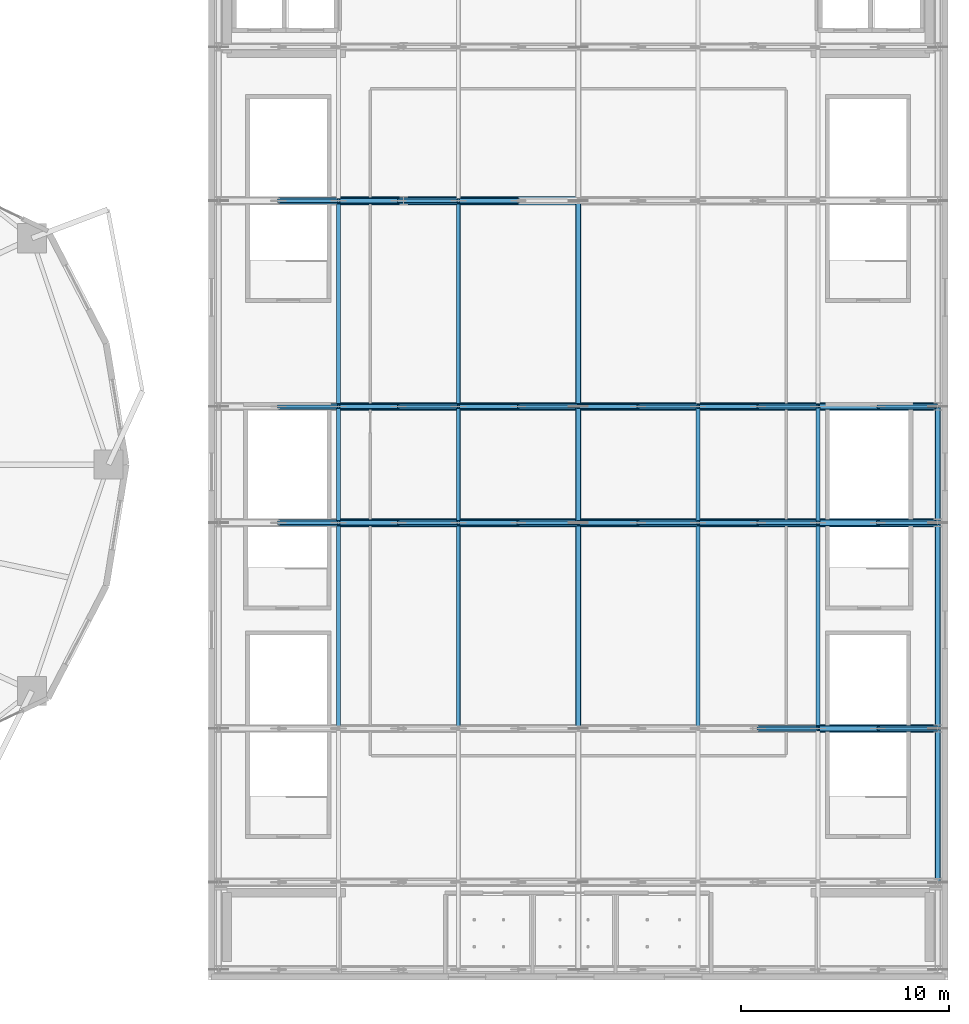
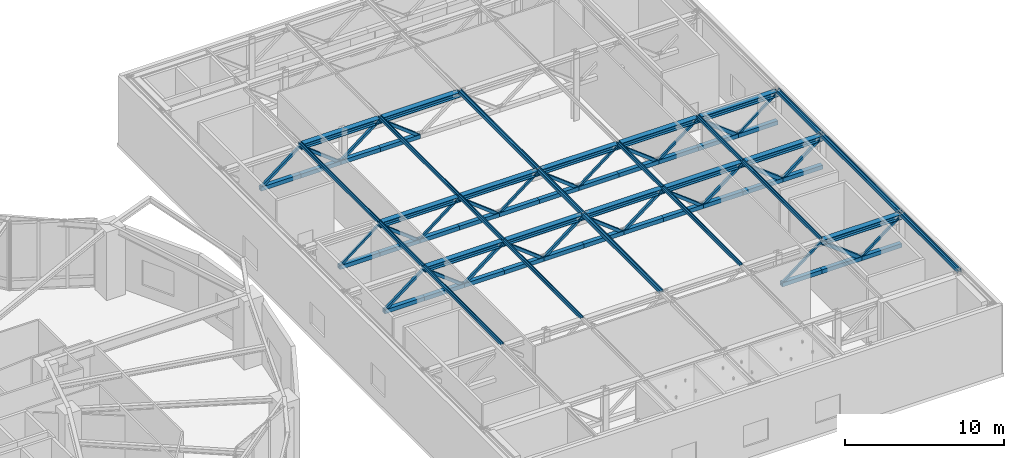
# One storey, part 12 of 29: 87 members.
"""IFC4 building model written with IfcOpenShell, lengths in metres."""

import ifcopenshell
import ifcopenshell.guid

model = None  # the IFC model being written
_history = None  # IfcOwnerHistory: only IFC2X3 demands one
_inside = {}  # id of a spatial element -> (the spatial element, [elements in it])
_under = {}  # id of a project, library or spatial element -> (it, [spatial elements below it])
_declared = {}  # id of a project -> (the project, [libraries it declares])
_typed = {}  # id of a type object -> (the type object, [elements of that type])
_made_of = {}  # id of a material, layer set ... -> (it, [elements and type objects made of it])


def new_model(schema):
    """Start an empty IFC model of exactly this schema.

    Asked for "IFC4X3", IfcOpenShell would pick the latest addendum, in which some entities
    have other attributes; the version numbers below select the first issue.
    IFC2X3 requires an IfcOwnerHistory on every rooted entity: one is made here for all.
    """
    global model, _history
    if schema == "IFC4X3":
        model = ifcopenshell.file(schema_version=(4, 3, 0, 0))
    else:
        model = ifcopenshell.file(schema=schema)
    _inside.clear()
    _under.clear()
    _declared.clear()
    _typed.clear()
    _made_of.clear()
    _history = None
    if model.schema == "IFC2X3":
        org = make("IfcOrganization", Name="unknown")
        user = make(
            "IfcPersonAndOrganization",
            ThePerson=make("IfcPerson", FamilyName="unknown"),
            TheOrganization=org,
        )
        app = make(
            "IfcApplication",
            ApplicationDeveloper=org,
            Version="unknown",
            ApplicationFullName="unknown",
            ApplicationIdentifier="unknown",
        )
        _history = make(
            "IfcOwnerHistory",
            OwningUser=user,
            OwningApplication=app,
            ChangeAction="ADDED",
            CreationDate=0,
        )
    return model


def make(cls, **values):
    """One entity of the class cls with the attributes given. An attribute that is None is left unset."""
    return model.create_entity(
        cls, **{name: value for name, value in values.items() if value is not None}
    )


def rooted(cls, **values):
    """An entity with a GlobalId (a new one), such as an element, a storey or a relation."""
    return make(cls, GlobalId=ifcopenshell.guid.new(), OwnerHistory=_history, **values)


def si_unit(unit_type, name, prefix=None):
    """IfcSIUnit, for example si_unit("LENGTHUNIT", "METRE", prefix="MILLI")."""
    return make("IfcSIUnit", UnitType=unit_type, Prefix=prefix, Name=name)


def assignment(units):
    """IfcUnitAssignment: the units of a project."""
    return None if units is None else make("IfcUnitAssignment", Units=units)


def point(xyz):
    """IfcCartesianPoint."""
    return None if xyz is None else make("IfcCartesianPoint", Coordinates=xyz)


def direction(xyz):
    """IfcDirection."""
    return None if xyz is None else make("IfcDirection", DirectionRatios=xyz)


def frame(location, z_axis=None, x_axis=None):
    """IfcAxis2Placement3D, a coordinate frame: its origin and axes. An axis left out is left unset."""
    return make(
        "IfcAxis2Placement3D",
        Location=point(location),
        Axis=direction(z_axis),
        RefDirection=direction(x_axis),
    )


def frame_2d(location, x_axis=None):
    """IfcAxis2Placement2D, a coordinate frame in the plane: its origin and x axis."""
    return make(
        "IfcAxis2Placement2D", Location=point(location), RefDirection=direction(x_axis)
    )


def origin():
    """The frame at (0, 0, 0) with its axes left unset."""
    return frame((0.0, 0.0, 0.0))


def origin_2d():
    """The frame at (0, 0) in the plane with its x axis left unset."""
    return frame_2d((0.0, 0.0))


def place(relative_to, where):
    """IfcLocalPlacement: puts the frame where relative to a parent placement (None: the world)."""
    return make(
        "IfcLocalPlacement", PlacementRelTo=relative_to, RelativePlacement=where
    )


def context(
    kind, dimensions, precision=None, world=None, true_north=None, identifier=None
):
    """IfcGeometricRepresentationContext, for example the 3D "Model" context."""
    return make(
        "IfcGeometricRepresentationContext",
        ContextIdentifier=identifier,
        ContextType=kind,
        CoordinateSpaceDimension=dimensions,
        Precision=precision,
        WorldCoordinateSystem=world,
        TrueNorth=true_north,
    )


def subcontext(parent, identifier, kind, view, scale=None):
    """IfcGeometricRepresentationSubContext, for example "Body" below "Model"."""
    return make(
        "IfcGeometricRepresentationSubContext",
        ContextIdentifier=identifier,
        ContextType=kind,
        ParentContext=parent,
        TargetScale=scale,
        TargetView=view,
    )


def project(units=None, contexts=None):
    """IfcProject with its units and contexts."""
    return rooted(
        "IfcProject",
        Name="project",
        RepresentationContexts=contexts,
        UnitsInContext=assignment(units),
    )


def spatial(cls, under=None, at=None, **own):
    """A site, building, storey or space (cls), placed at a placement, below another one or the project."""
    s = rooted(cls, ObjectPlacement=at, **own)
    if under is not None:
        _under.setdefault(under.id(), (under, []))[1].append(s)
    return s


def profile(cls, at=None, kind="AREA", **sizes):
    """A parametric profile (cls). Its sizes go by their IFC names, for example OverallWidth=200.0."""
    return make(cls, ProfileType=kind, Position=at, **sizes)


def hollow_rectangle(**sizes):
    """IfcRectangleHollowProfileDef."""
    return profile("IfcRectangleHollowProfileDef", **sizes)


def i_section(**sizes):
    """IfcIShapeProfileDef."""
    return profile("IfcIShapeProfileDef", **sizes)


def extrude(swept, where, along, depth):
    """IfcExtrudedAreaSolid: the profile swept, set in the frame where, extruded along a direction by depth."""
    return make(
        "IfcExtrudedAreaSolid",
        SweptArea=swept,
        Position=where,
        ExtrudedDirection=direction(along),
        Depth=depth,
    )


def shape(context_of_items, identifier, shape_type, items):
    """IfcShapeRepresentation: the items that make up one representation, for example the "Body"."""
    return make(
        "IfcShapeRepresentation",
        ContextOfItems=context_of_items,
        RepresentationIdentifier=identifier,
        RepresentationType=shape_type,
        Items=items,
    )


def material(Name=None, Category=None):
    """IfcMaterial."""
    return make("IfcMaterial", Name=Name, Category=Category)


def material_profile(
    of_material, cross_section, Name=None, Category=None, Priority=None
):
    """IfcMaterialProfile: a cross section and its material."""
    return make(
        "IfcMaterialProfile",
        Name=Name,
        Material=of_material,
        Profile=cross_section,
        Priority=Priority,
        Category=Category,
    )


def profile_set(profiles, Name=None, composite=None):
    """IfcMaterialProfileSet."""
    return make(
        "IfcMaterialProfileSet",
        Name=Name,
        MaterialProfiles=profiles,
        CompositeProfile=composite,
    )


def made_of(thing, what):
    """Note that an element or type object is made of a material, layer set ...; save() writes the relation."""
    if what is not None:
        _made_of.setdefault(what.id(), (what, []))[1].append(thing)
    return thing


def type_object(cls, material=None, **own):
    """A type object (cls), such as IfcWallType, which elements share."""
    return made_of(rooted(cls, **own), material)


def element(
    cls,
    number,
    at=None,
    inside=None,
    cuts=None,
    type_object=None,
    material=None,
    context=None,
    identifier="Body",
    shape_type=None,
    held_by="IfcProductDefinitionShape",
    body=None,
    shapes=None,
    **own,
):
    """One element of the class cls, such as IfcWall. Its Tag is "e" and its number.

    at: its placement. inside: the storey or other place that contains it. cuts: it is an
    opening in that element (IfcRelVoidsElement). A single representation is given by context,
    identifier, shape_type and body (its items); several are given by shapes. held_by: the class
    of the entity that holds the representations. save() writes the other relations.
    """
    e = rooted(cls, Tag="e%d" % number, ObjectPlacement=at, **own)
    if body is not None:
        shapes = [shape(context, identifier, shape_type, body)]
    if shapes is not None:
        e.Representation = make(held_by, Representations=shapes)
    if inside is not None:
        _inside.setdefault(inside.id(), (inside, []))[1].append(e)
    if cuts is not None:
        rooted(
            "IfcRelVoidsElement", RelatingBuildingElement=cuts, RelatedOpeningElement=e
        )
    if type_object is not None:
        _typed.setdefault(type_object.id(), (type_object, []))[1].append(e)
    return made_of(e, material)


def aggregate(whole, parts):
    """IfcRelAggregates: a whole, such as a stair, and the parts it consists of."""
    return rooted("IfcRelAggregates", RelatingObject=whole, RelatedObjects=parts)


def save(model, path):
    """Write the relations noted so far, then the file.

    IfcRelAggregates (storeys below a building ...), IfcRelContainedInSpatialStructure (elements
    in a storey), IfcRelDefinesByType, IfcRelAssociatesMaterial and IfcRelDeclares: one each for
    every whole, place, type object, material and project.
    """
    for whole, parts in _under.values():
        aggregate(whole, parts)
    for where, things in _inside.values():
        rooted(
            "IfcRelContainedInSpatialStructure",
            RelatedElements=things,
            RelatingStructure=where,
        )
    for kind, things in _typed.values():
        rooted("IfcRelDefinesByType", RelatedObjects=things, RelatingType=kind)
    for what, things in _made_of.values():
        rooted("IfcRelAssociatesMaterial", RelatedObjects=things, RelatingMaterial=what)
    for by, libraries in _declared.values():
        rooted("IfcRelDeclares", RelatingContext=by, RelatedDefinitions=libraries)
    model.write(path)


model = new_model("IFC4")

# Units and contexts
model_context = context("Model", 3, precision=1e-05, world=origin(), true_north=direction((0.0, 1.0)))
body_context = subcontext(model_context, "Body", "Model", "MODEL_VIEW")
ifc_project = project(units=[si_unit("LENGTHUNIT", "METRE"), si_unit("AREAUNIT", "SQUARE_METRE"), si_unit("VOLUMEUNIT", "CUBIC_METRE"), si_unit("PLANEANGLEUNIT", "RADIAN"), si_unit("MASSUNIT", "GRAM", prefix="KILO")], contexts=[model_context])

# Site, building, storey
site_placement = place(None, origin())
site = spatial("IfcSite", under=ifc_project, at=site_placement, CompositionType="ELEMENT")
building_placement = place(site_placement, origin())
building = spatial("IfcBuilding", under=site, at=building_placement, Name="Kolvaren Gate Tower and Convention Centre", CompositionType="ELEMENT")
storey_placement = place(building_placement, frame((0.0, 0.0, 21.0)))
storey = spatial("IfcBuildingStorey", under=building, at=storey_placement, Name="L04", CompositionType="ELEMENT", Elevation=21.0)

# Members
ifc_material_1 = material(Name="Structural steel ASTM A500 Grade C 345 MPa", Category="steel")
ifc_material_profile_1 = material_profile(ifc_material_1, hollow_rectangle(XDim=0.202880859375, YDim=0.202880859375, WallThickness=0.0126953125, at=origin_2d()), Name="HSS203X203X12.7")
ifc_profile_set_1 = profile_set([ifc_material_profile_1], Name="Structural steel ASTM A500 Grade C 345 MPa")
member_type_1 = type_object("IfcMemberType", Name="STR-BR-HSS203X203", PredefinedType="BRACE", material=ifc_profile_set_1)
for number, where, z_axis, x_axis, name in (
    (1, (68.466796875, 24.199951171875, 4.919921875), (0.79235205207, 0.0, -0.610064115959), (0.0, 1.0, 0.0), "Convention Roof Truss TR-04 Web Diagonal 2A"),
    (2, (74.2333984375, 24.199951171875, 4.919921875), (0.79235205207, 0.0, -0.610064115959), (0.0, 1.0, 0.0), "Convention Roof Truss TR-04 Web Diagonal 3A"),
    (3, (80.0, 24.199951171875, 4.919921875), (0.79235205207, 0.0, -0.610064115959), (0.0, 1.0, 0.0), "Convention Roof Truss TR-04 Web Diagonal 4A"),
    (4, (85.7666015625, 24.199951171875, 4.919921875), (0.79235205207, 0.0, -0.610064115959), (0.0, 1.0, 0.0), "Convention Roof Truss TR-04 Web Diagonal 5A"),
    (5, (68.466796875, 29.800048828125, 4.919921875), (0.79235205207, 0.0, -0.610064115959), (0.0, 1.0, 0.0), "Convention Roof Truss TR-05 Web Diagonal 2A"),
    (6, (74.2333984375, 29.800048828125, 4.919921875), (0.79235205207, 0.0, -0.610064115959), (0.0, 1.0, 0.0), "Convention Roof Truss TR-05 Web Diagonal 3A"),
    (7, (80.0, 29.800048828125, 4.919921875), (0.79235205207, 0.0, -0.610064115959), (0.0, 1.0, 0.0), "Convention Roof Truss TR-05 Web Diagonal 4A"),
    (8, (85.7666015625, 29.800048828125, 4.919921875), (0.79235205207, 0.0, -0.610064115959), (0.0, 1.0, 0.0), "Convention Roof Truss TR-05 Web Diagonal 5A"),
    (9, (68.466796875, 39.699951171875, 4.919921875), (0.79235205207, 0.0, -0.610064115959), (0.0, 1.0, 0.0), "Convention Roof Truss TR-06 Web Diagonal 2A"),
    (10, (74.2333984375, 39.699951171875, 4.919921875), (0.79235205207, 0.0, -0.610064115959), (0.0, 1.0, 0.0), "Convention Roof Truss TR-06 Web Diagonal 3A"),
):
    element("IfcMember", number, at=place(storey_placement, frame(where, z_axis=z_axis, x_axis=x_axis)), inside=storey, type_object=member_type_1, Name=name, PredefinedType="BRACE", context=body_context, shape_type="SweptSolid", body=[
        extrude(hollow_rectangle(XDim=0.202880859375, YDim=0.202880859375, WallThickness=0.0126953125, at=origin_2d()), origin(), (0.0, 0.0, 1.0), 3.638916015625),
    ])
ifc_material_profile_2 = material_profile(ifc_material_1, hollow_rectangle(XDim=0.25390625, YDim=0.25390625, WallThickness=0.015869140625, at=origin_2d()), Name="HSS254X254X15.9")
ifc_profile_set_2 = profile_set([ifc_material_profile_2], Name="Structural steel ASTM A500 Grade C 345 MPa")
member_type_2 = type_object("IfcMemberType", Name="STR-BR-HSS254X254", PredefinedType="BRACE", material=ifc_profile_set_2)
for number, where, z_axis, x_axis, name in (
    (11, (91.533203125, 14.300048828125, 4.919921875), (0.79237702012, 0.0, -0.610031686051), (0.0, 1.0, 0.0), "Convention Roof Truss TR-03 Web Diagonal 6A"),
    (12, (91.533203125, 24.199951171875, 4.919921875), (0.79237702012, 0.0, -0.610031686051), (0.0, 1.0, 0.0), "Convention Roof Truss TR-04 Web Diagonal 6A"),
    (13, (91.533203125, 29.800048828125, 4.919921875), (0.79237702012, 0.0, -0.610031686051), (0.0, 1.0, 0.0), "Convention Roof Truss TR-05 Web Diagonal 6A"),
):
    element("IfcMember", number, at=place(storey_placement, frame(where, z_axis=z_axis, x_axis=x_axis)), inside=storey, type_object=member_type_2, Name=name, PredefinedType="BRACE", context=body_context, shape_type="SweptSolid", body=[
        extrude(hollow_rectangle(XDim=0.25390625, YDim=0.25390625, WallThickness=0.015869140625, at=origin_2d()), origin(), (0.0, 0.0, 1.0), 3.63916015625),
    ])
ifc_material_profile_3 = material_profile(ifc_material_1, hollow_rectangle(XDim=0.304931640625, YDim=0.304931640625, WallThickness=0.015869140625, at=origin_2d()), Name="HSS305X305X15.9")
ifc_profile_set_3 = profile_set([ifc_material_profile_3], Name="Structural steel ASTM A500 Grade C 345 MPa")
member_type_3 = type_object("IfcMemberType", Name="STR-CH-HSS305X305", PredefinedType="CHORD", material=ifc_profile_set_3)
member_1_placement = place(storey_placement, frame((88.64990234375, 14.300048828125, 2.699951171875), z_axis=(1.0, 0.0, 0.0), x_axis=(0.0, 1.0, 0.0)))
element("IfcMember", 14, at=member_1_placement, inside=storey, type_object=member_type_3, Name="Convention Roof Truss TR-03 Bottom Chord 5B", PredefinedType="CHORD", context=body_context, shape_type="SweptSolid", body=[
    extrude(hollow_rectangle(XDim=0.304931640625, YDim=0.304931640625, WallThickness=0.015869140625, at=origin_2d()), origin(), (0.0, 0.0, 1.0), 2.88330078125),
])
member_2_placement = place(storey_placement, frame((91.533203125, 14.300048828125, 2.699951171875), z_axis=(1.0, 0.0, 0.0), x_axis=(0.0, 1.0, 0.0)))
element("IfcMember", 15, at=member_2_placement, inside=storey, type_object=member_type_3, Name="Convention Roof Truss TR-03 Bottom Chord 6A", PredefinedType="CHORD", context=body_context, shape_type="SweptSolid", body=[
    extrude(hollow_rectangle(XDim=0.304931640625, YDim=0.304931640625, WallThickness=0.015869140625, at=origin_2d()), origin(), (0.0, 0.0, 1.0), 2.883544921875),
])
member_3_placement = place(storey_placement, frame((94.416748046875, 14.300048828125, 2.699951171875), z_axis=(1.0, 0.0, 0.0), x_axis=(0.0, 1.0, 0.0)))
element("IfcMember", 16, at=member_3_placement, inside=storey, type_object=member_type_3, Name="Convention Roof Truss TR-03 Bottom Chord 6B", PredefinedType="CHORD", context=body_context, shape_type="SweptSolid", body=[
    extrude(hollow_rectangle(XDim=0.304931640625, YDim=0.304931640625, WallThickness=0.015869140625, at=origin_2d()), origin(), (0.0, 0.0, 1.0), 2.88330078125),
])
member_4_placement = place(storey_placement, frame((65.583251953125, 24.199951171875, 2.699951171875), z_axis=(1.0, 0.0, 0.0), x_axis=(0.0, 1.0, 0.0)))
element("IfcMember", 17, at=member_4_placement, inside=storey, type_object=member_type_3, Name="Convention Roof Truss TR-04 Bottom Chord 1B", PredefinedType="CHORD", context=body_context, shape_type="SweptSolid", body=[
    extrude(hollow_rectangle(XDim=0.304931640625, YDim=0.304931640625, WallThickness=0.015869140625, at=origin_2d()), origin(), (0.0, 0.0, 1.0), 2.883544921875),
])
for number, where, z_axis, x_axis, name in (
    (18, (68.466796875, 24.199951171875, 2.699951171875), (1.0, 0.0, 0.0), (0.0, 1.0, 0.0), "Convention Roof Truss TR-04 Bottom Chord 2A"),
    (19, (71.35009765625, 24.199951171875, 2.699951171875), (1.0, 0.0, 0.0), (0.0, 1.0, 0.0), "Convention Roof Truss TR-04 Bottom Chord 2B"),
    (20, (74.2333984375, 24.199951171875, 2.699951171875), (1.0, 0.0, 0.0), (0.0, 1.0, 0.0), "Convention Roof Truss TR-04 Bottom Chord 3A"),
    (21, (77.11669921875, 24.199951171875, 2.699951171875), (1.0, 0.0, 0.0), (0.0, 1.0, 0.0), "Convention Roof Truss TR-04 Bottom Chord 3B"),
    (22, (80.0, 24.199951171875, 2.699951171875), (1.0, 0.0, 0.0), (0.0, 1.0, 0.0), "Convention Roof Truss TR-04 Bottom Chord 4A"),
    (23, (82.88330078125, 24.199951171875, 2.699951171875), (1.0, 0.0, 0.0), (0.0, 1.0, 0.0), "Convention Roof Truss TR-04 Bottom Chord 4B"),
    (24, (85.7666015625, 24.199951171875, 2.699951171875), (1.0, 0.0, 0.0), (0.0, 1.0, 0.0), "Convention Roof Truss TR-04 Bottom Chord 5A"),
    (25, (88.64990234375, 24.199951171875, 2.699951171875), (1.0, 0.0, 0.0), (0.0, 1.0, 0.0), "Convention Roof Truss TR-04 Bottom Chord 5B"),
):
    element("IfcMember", number, at=place(storey_placement, frame(where, z_axis=z_axis, x_axis=x_axis)), inside=storey, type_object=member_type_3, Name=name, PredefinedType="CHORD", context=body_context, shape_type="SweptSolid", body=[
        extrude(hollow_rectangle(XDim=0.304931640625, YDim=0.304931640625, WallThickness=0.015869140625, at=origin_2d()), origin(), (0.0, 0.0, 1.0), 2.88330078125),
    ])
member_5_placement = place(storey_placement, frame((91.533203125, 24.199951171875, 2.699951171875), z_axis=(1.0, 0.0, 0.0), x_axis=(0.0, 1.0, 0.0)))
element("IfcMember", 26, at=member_5_placement, inside=storey, type_object=member_type_3, Name="Convention Roof Truss TR-04 Bottom Chord 6A", PredefinedType="CHORD", context=body_context, shape_type="SweptSolid", body=[
    extrude(hollow_rectangle(XDim=0.304931640625, YDim=0.304931640625, WallThickness=0.015869140625, at=origin_2d()), origin(), (0.0, 0.0, 1.0), 2.883544921875),
])
member_6_placement = place(storey_placement, frame((94.416748046875, 24.199951171875, 2.699951171875), z_axis=(1.0, 0.0, 0.0), x_axis=(0.0, 1.0, 0.0)))
element("IfcMember", 27, at=member_6_placement, inside=storey, type_object=member_type_3, Name="Convention Roof Truss TR-04 Bottom Chord 6B", PredefinedType="CHORD", context=body_context, shape_type="SweptSolid", body=[
    extrude(hollow_rectangle(XDim=0.304931640625, YDim=0.304931640625, WallThickness=0.015869140625, at=origin_2d()), origin(), (0.0, 0.0, 1.0), 2.88330078125),
])
member_7_placement = place(storey_placement, frame((65.583251953125, 29.800048828125, 2.699951171875), z_axis=(1.0, 0.0, 0.0), x_axis=(0.0, 1.0, 0.0)))
element("IfcMember", 28, at=member_7_placement, inside=storey, type_object=member_type_3, Name="Convention Roof Truss TR-05 Bottom Chord 1B", PredefinedType="CHORD", context=body_context, shape_type="SweptSolid", body=[
    extrude(hollow_rectangle(XDim=0.304931640625, YDim=0.304931640625, WallThickness=0.015869140625, at=origin_2d()), origin(), (0.0, 0.0, 1.0), 2.883544921875),
])
for number, where, z_axis, x_axis, name in (
    (29, (68.466796875, 29.800048828125, 2.699951171875), (1.0, 0.0, 0.0), (0.0, 1.0, 0.0), "Convention Roof Truss TR-05 Bottom Chord 2A"),
    (30, (71.35009765625, 29.800048828125, 2.699951171875), (1.0, 0.0, 0.0), (0.0, 1.0, 0.0), "Convention Roof Truss TR-05 Bottom Chord 2B"),
    (31, (74.2333984375, 29.800048828125, 2.699951171875), (1.0, 0.0, 0.0), (0.0, 1.0, 0.0), "Convention Roof Truss TR-05 Bottom Chord 3A"),
    (32, (77.11669921875, 29.800048828125, 2.699951171875), (1.0, 0.0, 0.0), (0.0, 1.0, 0.0), "Convention Roof Truss TR-05 Bottom Chord 3B"),
    (33, (80.0, 29.800048828125, 2.699951171875), (1.0, 0.0, 0.0), (0.0, 1.0, 0.0), "Convention Roof Truss TR-05 Bottom Chord 4A"),
    (34, (82.88330078125, 29.800048828125, 2.699951171875), (1.0, 0.0, 0.0), (0.0, 1.0, 0.0), "Convention Roof Truss TR-05 Bottom Chord 4B"),
    (35, (85.7666015625, 29.800048828125, 2.699951171875), (1.0, 0.0, 0.0), (0.0, 1.0, 0.0), "Convention Roof Truss TR-05 Bottom Chord 5A"),
    (36, (88.64990234375, 29.800048828125, 2.699951171875), (1.0, 0.0, 0.0), (0.0, 1.0, 0.0), "Convention Roof Truss TR-05 Bottom Chord 5B"),
):
    element("IfcMember", number, at=place(storey_placement, frame(where, z_axis=z_axis, x_axis=x_axis)), inside=storey, type_object=member_type_3, Name=name, PredefinedType="CHORD", context=body_context, shape_type="SweptSolid", body=[
        extrude(hollow_rectangle(XDim=0.304931640625, YDim=0.304931640625, WallThickness=0.015869140625, at=origin_2d()), origin(), (0.0, 0.0, 1.0), 2.88330078125),
    ])
member_8_placement = place(storey_placement, frame((91.533203125, 29.800048828125, 2.699951171875), z_axis=(1.0, 0.0, 0.0), x_axis=(0.0, 1.0, 0.0)))
element("IfcMember", 37, at=member_8_placement, inside=storey, type_object=member_type_3, Name="Convention Roof Truss TR-05 Bottom Chord 6A", PredefinedType="CHORD", context=body_context, shape_type="SweptSolid", body=[
    extrude(hollow_rectangle(XDim=0.304931640625, YDim=0.304931640625, WallThickness=0.015869140625, at=origin_2d()), origin(), (0.0, 0.0, 1.0), 2.883544921875),
])
member_9_placement = place(storey_placement, frame((94.416748046875, 29.800048828125, 2.699951171875), z_axis=(1.0, 0.0, 0.0), x_axis=(0.0, 1.0, 0.0)))
element("IfcMember", 38, at=member_9_placement, inside=storey, type_object=member_type_3, Name="Convention Roof Truss TR-05 Bottom Chord 6B", PredefinedType="CHORD", context=body_context, shape_type="SweptSolid", body=[
    extrude(hollow_rectangle(XDim=0.304931640625, YDim=0.304931640625, WallThickness=0.015869140625, at=origin_2d()), origin(), (0.0, 0.0, 1.0), 2.88330078125),
])
member_10_placement = place(storey_placement, frame((65.583251953125, 39.699951171875, 2.699951171875), z_axis=(1.0, 0.0, 0.0), x_axis=(0.0, 1.0, 0.0)))
element("IfcMember", 39, at=member_10_placement, inside=storey, type_object=member_type_3, Name="Convention Roof Truss TR-06 Bottom Chord 1B", PredefinedType="CHORD", context=body_context, shape_type="SweptSolid", body=[
    extrude(hollow_rectangle(XDim=0.304931640625, YDim=0.304931640625, WallThickness=0.015869140625, at=origin_2d()), origin(), (0.0, 0.0, 1.0), 2.883544921875),
])
for number, where, z_axis, x_axis, name in (
    (40, (68.466796875, 39.699951171875, 2.699951171875), (1.0, 0.0, 0.0), (0.0, 1.0, 0.0), "Convention Roof Truss TR-06 Bottom Chord 2A"),
    (41, (71.35009765625, 39.699951171875, 2.699951171875), (1.0, 0.0, 0.0), (0.0, 1.0, 0.0), "Convention Roof Truss TR-06 Bottom Chord 2B"),
    (42, (74.2333984375, 39.699951171875, 2.699951171875), (1.0, 0.0, 0.0), (0.0, 1.0, 0.0), "Convention Roof Truss TR-06 Bottom Chord 3A"),
):
    element("IfcMember", number, at=place(storey_placement, frame(where, z_axis=z_axis, x_axis=x_axis)), inside=storey, type_object=member_type_3, Name=name, PredefinedType="CHORD", context=body_context, shape_type="SweptSolid", body=[
        extrude(hollow_rectangle(XDim=0.304931640625, YDim=0.304931640625, WallThickness=0.015869140625, at=origin_2d()), origin(), (0.0, 0.0, 1.0), 2.88330078125),
    ])
ifc_material_2 = material(Name="Structural steel ASTM A992 Grade 345 MPa", Category="steel")
ifc_material_profile_4 = material_profile(ifc_material_2, i_section(OverallWidth=0.39501953125, OverallDepth=0.3798828125, WebThickness=0.018798828125, FlangeThickness=0.0302734375, at=origin_2d()), Name="W360X237")
ifc_profile_set_4 = profile_set([ifc_material_profile_4], Name="Structural steel ASTM A992 Grade 345 MPa")
member_type_4 = type_object("IfcMemberType", Name="STR-CH-W360X237", PredefinedType="CHORD", material=ifc_profile_set_4)
member_11_placement = place(storey_placement, frame((91.533203125, 14.300048828125, 4.919921875), z_axis=(1.0, 0.0, 0.0), x_axis=(0.0, 1.0, 0.0)))
element("IfcMember", 43, at=member_11_placement, inside=storey, type_object=member_type_4, Name="Convention Roof Truss TR-03 Top Chord 6", PredefinedType="CHORD", context=body_context, shape_type="SweptSolid", body=[
    extrude(i_section(OverallWidth=0.39501953125, OverallDepth=0.3798828125, WebThickness=0.018798828125, FlangeThickness=0.0302734375, at=origin_2d()), origin(), (0.0, 0.0, 1.0), 5.766845703125),
])
for number, where, z_axis, x_axis, name in (
    (44, (68.466796875, 24.199951171875, 4.919921875), (1.0, 0.0, 0.0), (0.0, 1.0, 0.0), "Convention Roof Truss TR-04 Top Chord 2"),
    (45, (74.2333984375, 24.199951171875, 4.919921875), (1.0, 0.0, 0.0), (0.0, 1.0, 0.0), "Convention Roof Truss TR-04 Top Chord 3"),
    (46, (80.0, 24.199951171875, 4.919921875), (1.0, 0.0, 0.0), (0.0, 1.0, 0.0), "Convention Roof Truss TR-04 Top Chord 4"),
    (47, (85.7666015625, 24.199951171875, 4.919921875), (1.0, 0.0, 0.0), (0.0, 1.0, 0.0), "Convention Roof Truss TR-04 Top Chord 5"),
):
    element("IfcMember", number, at=place(storey_placement, frame(where, z_axis=z_axis, x_axis=x_axis)), inside=storey, type_object=member_type_4, Name=name, PredefinedType="CHORD", context=body_context, shape_type="SweptSolid", body=[
        extrude(i_section(OverallWidth=0.39501953125, OverallDepth=0.3798828125, WebThickness=0.018798828125, FlangeThickness=0.0302734375, at=origin_2d()), origin(), (0.0, 0.0, 1.0), 5.7666015625),
    ])
member_12_placement = place(storey_placement, frame((91.533203125, 24.199951171875, 4.919921875), z_axis=(1.0, 0.0, 0.0), x_axis=(0.0, 1.0, 0.0)))
element("IfcMember", 48, at=member_12_placement, inside=storey, type_object=member_type_4, Name="Convention Roof Truss TR-04 Top Chord 6", PredefinedType="CHORD", context=body_context, shape_type="SweptSolid", body=[
    extrude(i_section(OverallWidth=0.39501953125, OverallDepth=0.3798828125, WebThickness=0.018798828125, FlangeThickness=0.0302734375, at=origin_2d()), origin(), (0.0, 0.0, 1.0), 5.766845703125),
])
for number, where, z_axis, x_axis, name in (
    (49, (68.466796875, 29.800048828125, 4.919921875), (1.0, 0.0, 0.0), (0.0, 1.0, 0.0), "Convention Roof Truss TR-05 Top Chord 2"),
    (50, (74.2333984375, 29.800048828125, 4.919921875), (1.0, 0.0, 0.0), (0.0, 1.0, 0.0), "Convention Roof Truss TR-05 Top Chord 3"),
    (51, (80.0, 29.800048828125, 4.919921875), (1.0, 0.0, 0.0), (0.0, 1.0, 0.0), "Convention Roof Truss TR-05 Top Chord 4"),
    (52, (85.7666015625, 29.800048828125, 4.919921875), (1.0, 0.0, 0.0), (0.0, 1.0, 0.0), "Convention Roof Truss TR-05 Top Chord 5"),
):
    element("IfcMember", number, at=place(storey_placement, frame(where, z_axis=z_axis, x_axis=x_axis)), inside=storey, type_object=member_type_4, Name=name, PredefinedType="CHORD", context=body_context, shape_type="SweptSolid", body=[
        extrude(i_section(OverallWidth=0.39501953125, OverallDepth=0.3798828125, WebThickness=0.018798828125, FlangeThickness=0.0302734375, at=origin_2d()), origin(), (0.0, 0.0, 1.0), 5.7666015625),
    ])
member_13_placement = place(storey_placement, frame((91.533203125, 29.800048828125, 4.919921875), z_axis=(1.0, 0.0, 0.0), x_axis=(0.0, 1.0, 0.0)))
element("IfcMember", 53, at=member_13_placement, inside=storey, type_object=member_type_4, Name="Convention Roof Truss TR-05 Top Chord 6", PredefinedType="CHORD", context=body_context, shape_type="SweptSolid", body=[
    extrude(i_section(OverallWidth=0.39501953125, OverallDepth=0.3798828125, WebThickness=0.018798828125, FlangeThickness=0.0302734375, at=origin_2d()), origin(), (0.0, 0.0, 1.0), 5.766845703125),
])
for number, where, z_axis, x_axis, name in (
    (54, (68.466796875, 39.699951171875, 4.919921875), (1.0, 0.0, 0.0), (0.0, 1.0, 0.0), "Convention Roof Truss TR-06 Top Chord 2"),
    (55, (74.2333984375, 39.699951171875, 4.919921875), (1.0, 0.0, 0.0), (0.0, 1.0, 0.0), "Convention Roof Truss TR-06 Top Chord 3"),
):
    element("IfcMember", number, at=place(storey_placement, frame(where, z_axis=z_axis, x_axis=x_axis)), inside=storey, type_object=member_type_4, Name=name, PredefinedType="CHORD", context=body_context, shape_type="SweptSolid", body=[
        extrude(i_section(OverallWidth=0.39501953125, OverallDepth=0.3798828125, WebThickness=0.018798828125, FlangeThickness=0.0302734375, at=origin_2d()), origin(), (0.0, 0.0, 1.0), 5.7666015625),
    ])
ifc_material_profile_5 = material_profile(ifc_material_2, i_section(OverallWidth=0.202880859375, OverallDepth=0.202880859375, WebThickness=0.007080078125, FlangeThickness=0.010986328125, at=origin_2d()), Name="W200X46")
ifc_profile_set_5 = profile_set([ifc_material_profile_5], Name="Structural steel ASTM A992 Grade 345 MPa")
member_type_5 = type_object("IfcMemberType", Name="STR-PR-W200X46", PredefinedType="PURLIN", material=ifc_profile_set_5)
member_14_placement = place(storey_placement, frame((68.466796875, 14.300048828125, 5.1484375), z_axis=(0.0, 1.0, 0.0), x_axis=(0.0, 0.0, 1.0)))
element("IfcMember", 56, at=member_14_placement, inside=storey, type_object=member_type_5, Name="Convention Roof Purlin PR-2.3", PredefinedType="PURLIN", context=body_context, shape_type="SweptSolid", body=[
    extrude(i_section(OverallWidth=0.202880859375, OverallDepth=0.202880859375, WebThickness=0.007080078125, FlangeThickness=0.010986328125, at=origin_2d()), origin(), (0.0, 0.0, 1.0), 9.89990234375),
])
member_15_placement = place(storey_placement, frame((68.466796875, 24.199951171875, 5.1484375), z_axis=(0.0, 1.0, 0.0), x_axis=(0.0, 0.0, 1.0)))
element("IfcMember", 57, at=member_15_placement, inside=storey, type_object=member_type_5, Name="Convention Roof Purlin PR-2.4", PredefinedType="PURLIN", context=body_context, shape_type="SweptSolid", body=[
    extrude(i_section(OverallWidth=0.202880859375, OverallDepth=0.202880859375, WebThickness=0.007080078125, FlangeThickness=0.010986328125, at=origin_2d()), origin(), (0.0, 0.0, 1.0), 5.60009765625),
])
for number, where, z_axis, x_axis, name in (
    (58, (68.466796875, 29.800048828125, 5.1484375), (0.0, 1.0, 0.0), (0.0, 0.0, 1.0), "Convention Roof Purlin PR-2.5"),
    (59, (74.2333984375, 14.300048828125, 5.1484375), (0.0, 1.0, 0.0), (0.0, 0.0, 1.0), "Convention Roof Purlin PR-3.3"),
):
    element("IfcMember", number, at=place(storey_placement, frame(where, z_axis=z_axis, x_axis=x_axis)), inside=storey, type_object=member_type_5, Name=name, PredefinedType="PURLIN", context=body_context, shape_type="SweptSolid", body=[
        extrude(i_section(OverallWidth=0.202880859375, OverallDepth=0.202880859375, WebThickness=0.007080078125, FlangeThickness=0.010986328125, at=origin_2d()), origin(), (0.0, 0.0, 1.0), 9.89990234375),
    ])
member_16_placement = place(storey_placement, frame((74.2333984375, 24.199951171875, 5.1484375), z_axis=(0.0, 1.0, 0.0), x_axis=(0.0, 0.0, 1.0)))
element("IfcMember", 60, at=member_16_placement, inside=storey, type_object=member_type_5, Name="Convention Roof Purlin PR-3.4", PredefinedType="PURLIN", context=body_context, shape_type="SweptSolid", body=[
    extrude(i_section(OverallWidth=0.202880859375, OverallDepth=0.202880859375, WebThickness=0.007080078125, FlangeThickness=0.010986328125, at=origin_2d()), origin(), (0.0, 0.0, 1.0), 5.60009765625),
])
for number, where, z_axis, x_axis, name in (
    (61, (74.2333984375, 29.800048828125, 5.1484375), (0.0, 1.0, 0.0), (0.0, 0.0, 1.0), "Convention Roof Purlin PR-3.5"),
    (62, (85.7666015625, 14.300048828125, 5.1484375), (0.0, 1.0, 0.0), (0.0, 0.0, 1.0), "Convention Roof Purlin PR-5.3"),
):
    element("IfcMember", number, at=place(storey_placement, frame(where, z_axis=z_axis, x_axis=x_axis)), inside=storey, type_object=member_type_5, Name=name, PredefinedType="PURLIN", context=body_context, shape_type="SweptSolid", body=[
        extrude(i_section(OverallWidth=0.202880859375, OverallDepth=0.202880859375, WebThickness=0.007080078125, FlangeThickness=0.010986328125, at=origin_2d()), origin(), (0.0, 0.0, 1.0), 9.89990234375),
    ])
member_17_placement = place(storey_placement, frame((85.7666015625, 24.199951171875, 5.1484375), z_axis=(0.0, 1.0, 0.0), x_axis=(0.0, 0.0, 1.0)))
element("IfcMember", 63, at=member_17_placement, inside=storey, type_object=member_type_5, Name="Convention Roof Purlin PR-5.4", PredefinedType="PURLIN", context=body_context, shape_type="SweptSolid", body=[
    extrude(i_section(OverallWidth=0.202880859375, OverallDepth=0.202880859375, WebThickness=0.007080078125, FlangeThickness=0.010986328125, at=origin_2d()), origin(), (0.0, 0.0, 1.0), 5.60009765625),
])
member_18_placement = place(storey_placement, frame((91.533203125, 14.300048828125, 5.1484375), z_axis=(0.0, 1.0, 0.0), x_axis=(0.0, 0.0, 1.0)))
element("IfcMember", 64, at=member_18_placement, inside=storey, type_object=member_type_5, Name="Convention Roof Purlin PR-6.3", PredefinedType="PURLIN", context=body_context, shape_type="SweptSolid", body=[
    extrude(i_section(OverallWidth=0.202880859375, OverallDepth=0.202880859375, WebThickness=0.007080078125, FlangeThickness=0.010986328125, at=origin_2d()), origin(), (0.0, 0.0, 1.0), 9.89990234375),
])
member_19_placement = place(storey_placement, frame((91.533203125, 24.199951171875, 5.1484375), z_axis=(0.0, 1.0, 0.0), x_axis=(0.0, 0.0, 1.0)))
element("IfcMember", 65, at=member_19_placement, inside=storey, type_object=member_type_5, Name="Convention Roof Purlin PR-6.4", PredefinedType="PURLIN", context=body_context, shape_type="SweptSolid", body=[
    extrude(i_section(OverallWidth=0.202880859375, OverallDepth=0.202880859375, WebThickness=0.007080078125, FlangeThickness=0.010986328125, at=origin_2d()), origin(), (0.0, 0.0, 1.0), 5.60009765625),
])
ifc_material_profile_6 = material_profile(ifc_material_2, i_section(OverallWidth=0.256103515625, OverallDepth=0.260009765625, WebThickness=0.0107421875, FlangeThickness=0.017333984375, at=origin_2d()), Name="W250X89")
ifc_profile_set_6 = profile_set([ifc_material_profile_6], Name="Structural steel ASTM A992 Grade 345 MPa")
member_type_6 = type_object("IfcMemberType", Name="STR-PR-W250X89", PredefinedType="PURLIN", material=ifc_profile_set_6)
member_20_placement = place(storey_placement, frame((80.0, 14.300048828125, 5.1201171875), z_axis=(0.0, 1.0, 0.0), x_axis=(0.0, 0.0, 1.0)))
element("IfcMember", 66, at=member_20_placement, inside=storey, type_object=member_type_6, Name="Convention Roof Purlin PR-4.3", PredefinedType="PURLIN", context=body_context, shape_type="SweptSolid", body=[
    extrude(i_section(OverallWidth=0.256103515625, OverallDepth=0.260009765625, WebThickness=0.0107421875, FlangeThickness=0.017333984375, at=origin_2d()), origin(), (0.0, 0.0, 1.0), 9.89990234375),
])
member_21_placement = place(storey_placement, frame((80.0, 24.199951171875, 5.1201171875), z_axis=(0.0, 1.0, 0.0), x_axis=(0.0, 0.0, 1.0)))
element("IfcMember", 67, at=member_21_placement, inside=storey, type_object=member_type_6, Name="Convention Roof Purlin PR-4.4", PredefinedType="PURLIN", context=body_context, shape_type="SweptSolid", body=[
    extrude(i_section(OverallWidth=0.256103515625, OverallDepth=0.260009765625, WebThickness=0.0107421875, FlangeThickness=0.017333984375, at=origin_2d()), origin(), (0.0, 0.0, 1.0), 5.60009765625),
])
member_22_placement = place(storey_placement, frame((80.0, 29.800048828125, 5.1201171875), z_axis=(0.0, 1.0, 0.0), x_axis=(0.0, 0.0, 1.0)))
element("IfcMember", 68, at=member_22_placement, inside=storey, type_object=member_type_6, Name="Convention Roof Purlin PR-4.5", PredefinedType="PURLIN", context=body_context, shape_type="SweptSolid", body=[
    extrude(i_section(OverallWidth=0.256103515625, OverallDepth=0.260009765625, WebThickness=0.0107421875, FlangeThickness=0.017333984375, at=origin_2d()), origin(), (0.0, 0.0, 1.0), 9.89990234375),
])
member_23_placement = place(storey_placement, frame((97.300048828125, 6.89990234375, 5.1201171875), z_axis=(0.0, 1.0, 0.0), x_axis=(0.0, 0.0, 1.0)))
element("IfcMember", 69, at=member_23_placement, inside=storey, type_object=member_type_6, Name="Convention Roof Purlin PR-7.2", PredefinedType="PURLIN", context=body_context, shape_type="SweptSolid", body=[
    extrude(i_section(OverallWidth=0.256103515625, OverallDepth=0.260009765625, WebThickness=0.0107421875, FlangeThickness=0.017333984375, at=origin_2d()), origin(), (0.0, 0.0, 1.0), 7.400146484375),
])
member_24_placement = place(storey_placement, frame((97.300048828125, 14.300048828125, 5.1201171875), z_axis=(0.0, 1.0, 0.0), x_axis=(0.0, 0.0, 1.0)))
element("IfcMember", 70, at=member_24_placement, inside=storey, type_object=member_type_6, Name="Convention Roof Purlin PR-7.3", PredefinedType="PURLIN", context=body_context, shape_type="SweptSolid", body=[
    extrude(i_section(OverallWidth=0.256103515625, OverallDepth=0.260009765625, WebThickness=0.0107421875, FlangeThickness=0.017333984375, at=origin_2d()), origin(), (0.0, 0.0, 1.0), 9.89990234375),
])
member_25_placement = place(storey_placement, frame((97.300048828125, 24.199951171875, 5.1201171875), z_axis=(0.0, 1.0, 0.0), x_axis=(0.0, 0.0, 1.0)))
element("IfcMember", 71, at=member_25_placement, inside=storey, type_object=member_type_6, Name="Convention Roof Purlin PR-7.4", PredefinedType="PURLIN", context=body_context, shape_type="SweptSolid", body=[
    extrude(i_section(OverallWidth=0.256103515625, OverallDepth=0.260009765625, WebThickness=0.0107421875, FlangeThickness=0.017333984375, at=origin_2d()), origin(), (0.0, 0.0, 1.0), 5.60009765625),
])
ifc_material_profile_7 = material_profile(ifc_material_1, hollow_rectangle(XDim=0.152099609375, YDim=0.152099609375, WallThickness=0.009521484375, at=origin_2d()), Name="HSS152X152X9.5")
ifc_profile_set_7 = profile_set([ifc_material_profile_7], Name="Structural steel ASTM A500 Grade C 345 MPa")
member_type_7 = type_object("IfcMemberType", Name="STR-ST-HSS152X152", PredefinedType="STRUT", material=ifc_profile_set_7)
for number, where, z_axis, x_axis, name in (
    (72, (88.64990234375, 14.300048828125, 2.699951171875), (0.79235205207, 0.0, 0.610064115959), (0.0, 1.0, 0.0), "Convention Roof Truss TR-03 Web Strut 5B"),
    (73, (94.416748046875, 14.300048828125, 2.699951171875), (0.79235205207, 0.0, 0.610064115959), (0.0, 1.0, 0.0), "Convention Roof Truss TR-03 Web Strut 6B"),
):
    element("IfcMember", number, at=place(storey_placement, frame(where, z_axis=z_axis, x_axis=x_axis)), inside=storey, type_object=member_type_7, Name=name, PredefinedType="STRUT", context=body_context, shape_type="SweptSolid", body=[
        extrude(hollow_rectangle(XDim=0.152099609375, YDim=0.152099609375, WallThickness=0.009521484375, at=origin_2d()), origin(), (0.0, 0.0, 1.0), 3.638916015625),
    ])
member_26_placement = place(storey_placement, frame((65.583251953125, 29.800048828125, 2.699951171875), z_axis=(0.79237702012, 0.0, 0.610031686051), x_axis=(0.0, 1.0, 0.0)))
element("IfcMember", 74, at=member_26_placement, inside=storey, type_object=member_type_7, Name="Convention Roof Truss TR-05 Web Strut 1B", PredefinedType="STRUT", context=body_context, shape_type="SweptSolid", body=[
    extrude(hollow_rectangle(XDim=0.152099609375, YDim=0.152099609375, WallThickness=0.009521484375, at=origin_2d()), origin(), (0.0, 0.0, 1.0), 3.63916015625),
])
for number, where, z_axis, x_axis, name in (
    (75, (71.35009765625, 29.800048828125, 2.699951171875), (0.79235205207, 0.0, 0.610064115959), (0.0, 1.0, 0.0), "Convention Roof Truss TR-05 Web Strut 2B"),
    (76, (77.11669921875, 29.800048828125, 2.699951171875), (0.79235205207, 0.0, 0.610064115959), (0.0, 1.0, 0.0), "Convention Roof Truss TR-05 Web Strut 3B"),
    (77, (82.88330078125, 29.800048828125, 2.699951171875), (0.79235205207, 0.0, 0.610064115959), (0.0, 1.0, 0.0), "Convention Roof Truss TR-05 Web Strut 4B"),
    (78, (88.64990234375, 29.800048828125, 2.699951171875), (0.79235205207, 0.0, 0.610064115959), (0.0, 1.0, 0.0), "Convention Roof Truss TR-05 Web Strut 5B"),
    (79, (94.416748046875, 29.800048828125, 2.699951171875), (0.79235205207, 0.0, 0.610064115959), (0.0, 1.0, 0.0), "Convention Roof Truss TR-05 Web Strut 6B"),
):
    element("IfcMember", number, at=place(storey_placement, frame(where, z_axis=z_axis, x_axis=x_axis)), inside=storey, type_object=member_type_7, Name=name, PredefinedType="STRUT", context=body_context, shape_type="SweptSolid", body=[
        extrude(hollow_rectangle(XDim=0.152099609375, YDim=0.152099609375, WallThickness=0.009521484375, at=origin_2d()), origin(), (0.0, 0.0, 1.0), 3.638916015625),
    ])
ifc_material_profile_8 = material_profile(ifc_material_1, hollow_rectangle(XDim=0.177978515625, YDim=0.177978515625, WallThickness=0.009521484375, at=origin_2d()), Name="HSS178X178X9.5")
ifc_profile_set_8 = profile_set([ifc_material_profile_8], Name="Structural steel ASTM A500 Grade C 345 MPa")
member_type_8 = type_object("IfcMemberType", Name="STR-ST-HSS178", PredefinedType="STRUT", material=ifc_profile_set_8)
member_27_placement = place(storey_placement, frame((65.583251953125, 24.199951171875, 2.699951171875), z_axis=(0.79237702012, 0.0, 0.610031686051), x_axis=(0.0, 1.0, 0.0)))
element("IfcMember", 80, at=member_27_placement, inside=storey, type_object=member_type_8, Name="Convention Roof Truss TR-04 Web Strut 1B", PredefinedType="STRUT", context=body_context, shape_type="SweptSolid", body=[
    extrude(hollow_rectangle(XDim=0.177978515625, YDim=0.177978515625, WallThickness=0.009521484375, at=origin_2d()), origin(), (0.0, 0.0, 1.0), 3.63916015625),
])
for number, where, z_axis, x_axis, name in (
    (81, (71.35009765625, 24.199951171875, 2.699951171875), (0.79235205207, 0.0, 0.610064115959), (0.0, 1.0, 0.0), "Convention Roof Truss TR-04 Web Strut 2B"),
    (82, (77.11669921875, 24.199951171875, 2.699951171875), (0.79235205207, 0.0, 0.610064115959), (0.0, 1.0, 0.0), "Convention Roof Truss TR-04 Web Strut 3B"),
    (83, (82.88330078125, 24.199951171875, 2.699951171875), (0.79235205207, 0.0, 0.610064115959), (0.0, 1.0, 0.0), "Convention Roof Truss TR-04 Web Strut 4B"),
    (84, (88.64990234375, 24.199951171875, 2.699951171875), (0.79235205207, 0.0, 0.610064115959), (0.0, 1.0, 0.0), "Convention Roof Truss TR-04 Web Strut 5B"),
    (85, (94.416748046875, 24.199951171875, 2.699951171875), (0.79235205207, 0.0, 0.610064115959), (0.0, 1.0, 0.0), "Convention Roof Truss TR-04 Web Strut 6B"),
):
    element("IfcMember", number, at=place(storey_placement, frame(where, z_axis=z_axis, x_axis=x_axis)), inside=storey, type_object=member_type_8, Name=name, PredefinedType="STRUT", context=body_context, shape_type="SweptSolid", body=[
        extrude(hollow_rectangle(XDim=0.177978515625, YDim=0.177978515625, WallThickness=0.009521484375, at=origin_2d()), origin(), (0.0, 0.0, 1.0), 3.638916015625),
    ])
member_28_placement = place(storey_placement, frame((65.583251953125, 39.699951171875, 2.699951171875), z_axis=(0.79237702012, 0.0, 0.610031686051), x_axis=(0.0, 1.0, 0.0)))
element("IfcMember", 86, at=member_28_placement, inside=storey, type_object=member_type_8, Name="Convention Roof Truss TR-06 Web Strut 1B", PredefinedType="STRUT", context=body_context, shape_type="SweptSolid", body=[
    extrude(hollow_rectangle(XDim=0.177978515625, YDim=0.177978515625, WallThickness=0.009521484375, at=origin_2d()), origin(), (0.0, 0.0, 1.0), 3.63916015625),
])
member_29_placement = place(storey_placement, frame((71.35009765625, 39.699951171875, 2.699951171875), z_axis=(0.79235205207, 0.0, 0.610064115959), x_axis=(0.0, 1.0, 0.0)))
element("IfcMember", 87, at=member_29_placement, inside=storey, type_object=member_type_8, Name="Convention Roof Truss TR-06 Web Strut 2B", PredefinedType="STRUT", context=body_context, shape_type="SweptSolid", body=[
    extrude(hollow_rectangle(XDim=0.177978515625, YDim=0.177978515625, WallThickness=0.009521484375, at=origin_2d()), origin(), (0.0, 0.0, 1.0), 3.638916015625),
])

save(model, "model.ifc")
